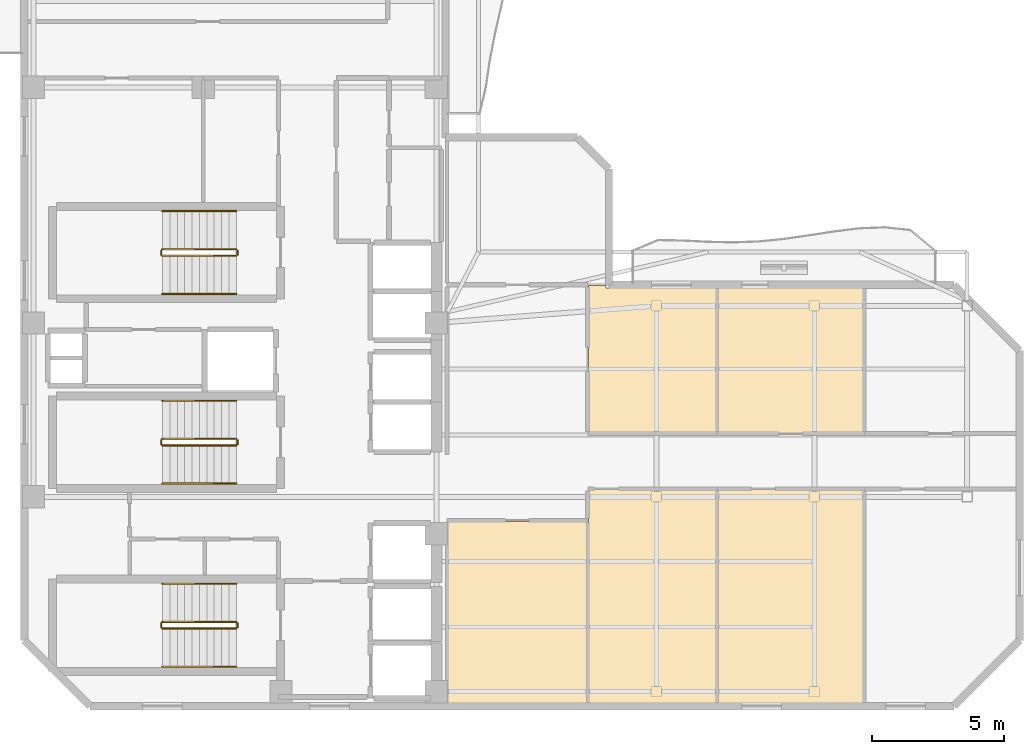
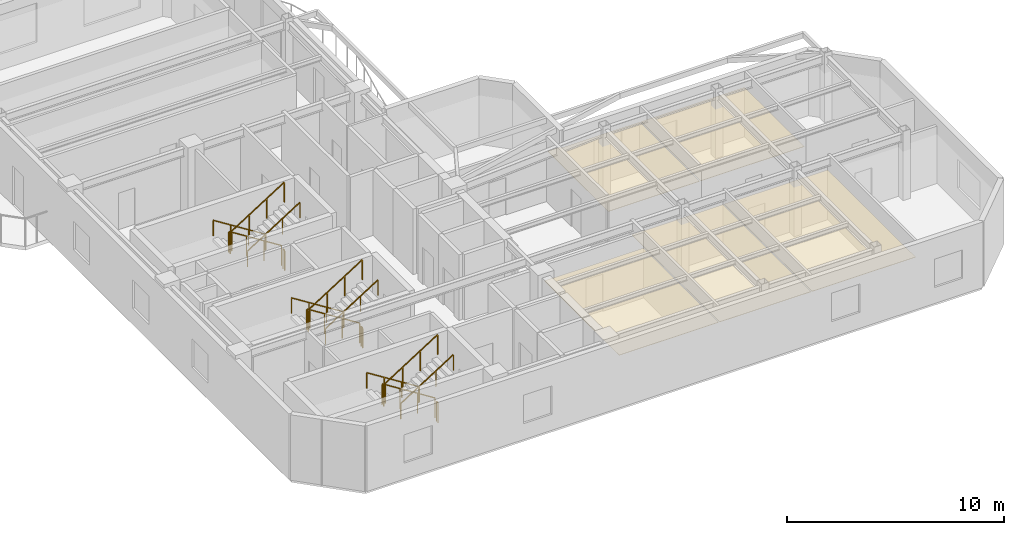
# One storey, part 6 of 7: 18 railings, 5 coverings.
"""IFC4 building model written with IfcOpenShell, lengths in metres."""

from ifc_helpers import new_model, si_unit, direction, frame, origin, origin_2d, place, context, subcontext, project, spatial, polyline, rectangle, outline, extrude, material, layer, layer_set, type_object, element, save


model = new_model("IFC4")

# Units and contexts
model_context = context("Model", 3, precision=1e-05, world=origin(), true_north=direction((0.0, 1.0)))
body_context = subcontext(model_context, "Body", "Model", "MODEL_VIEW")
ifc_project = project(units=[si_unit("LENGTHUNIT", "METRE"), si_unit("AREAUNIT", "SQUARE_METRE"), si_unit("VOLUMEUNIT", "CUBIC_METRE"), si_unit("PLANEANGLEUNIT", "RADIAN"), si_unit("MASSUNIT", "GRAM", prefix="KILO")], contexts=[model_context])

# Site, building, storey
site_placement = place(None, origin())
site = spatial("IfcSite", under=ifc_project, at=site_placement, CompositionType="ELEMENT")
building_placement = place(site_placement, origin())
building = spatial("IfcBuilding", under=site, at=building_placement, Name="Mawjaban Terraces University", CompositionType="ELEMENT")
storey_placement = place(building_placement, frame((0.0, 0.0, 298.89990234375)))
storey = spatial("IfcBuildingStorey", under=building, at=storey_placement, Name="L73", CompositionType="ELEMENT", Elevation=298.89990234375)

# Coverings
ifc_material_1 = material(Name="Acoustic mineral fibre ceiling tile", Category="masonry")
ifc_layer = layer(ifc_material_1, 0.02001953125)
ifc_layer_set = layer_set([ifc_layer], Name="Acoustic mineral fibre ceiling tile")
covering_type = type_object("IfcCoveringType", Name="AcousticMineralCeiling_20", PredefinedType="CEILING", material=ifc_layer_set)
covering_1_placement = place(storey_placement, frame((0.0, 0.0, 2.75)))
element("IfcCovering", 1, at=covering_1_placement, inside=storey, type_object=covering_type, Name="L73 Academic Counseling Room 1 Acoustic Ceiling", PredefinedType="CEILING", context=body_context, shape_type="SweptSolid", body=[
    extrude(outline(polyline([(38.080078125, 7.02001953125), (38.080078125, 0.114990234375), (43.3701171875, 0.114990234375), (43.3701171875, 7.02001953125), (38.080078125, 7.02001953125)])), origin(), (0.0, 0.0, 1.0), 0.02001953125),
])
covering_2_placement = place(storey_placement, frame((0.0, 0.0, 2.75)))
element("IfcCovering", 2, at=covering_2_placement, inside=storey, type_object=covering_type, Name="L73 Academic Counseling Room 2 Acoustic Ceiling", PredefinedType="CEILING", context=body_context, shape_type="SweptSolid", body=[
    extrude(outline(polyline([(43.429931640625, 0.114990234375), (48.2900390625, 0.114990234375), (48.2900390625, 8.219970703125), (43.429931640625, 8.219970703125), (43.429931640625, 0.114990234375)])), origin(), (0.0, 0.0, 1.0), 0.02001953125),
])
covering_3_placement = place(storey_placement, frame((0.0, 0.0, 2.75)))
element("IfcCovering", 3, at=covering_3_placement, inside=storey, type_object=covering_type, Name="L73 Academic Counseling Room 3 Acoustic Ceiling", PredefinedType="CEILING", context=body_context, shape_type="SweptSolid", body=[
    extrude(outline(polyline([(48.2900390625, 15.885009765625), (44.0849609375, 15.885009765625), (44.0849609375, 15.969970703125), (43.429931640625, 15.969970703125), (43.429931640625, 10.3798828125), (48.2900390625, 10.3798828125), (48.2900390625, 15.885009765625)])), origin(), (0.0, 0.0, 1.0), 0.02001953125),
])
covering_4_placement = place(storey_placement, frame((0.0, 0.0, 2.75)))
element("IfcCovering", 4, at=covering_4_placement, inside=storey, type_object=covering_type, Name="L73 Academic Counseling Room 4 Acoustic Ceiling", PredefinedType="CEILING", context=body_context, shape_type="SweptSolid", body=[
    extrude(outline(polyline([(48.35009765625, 0.114990234375), (53.865966796875, 0.114990234375), (53.865966796875, 8.219970703125), (48.35009765625, 8.219970703125), (48.35009765625, 0.114990234375)])), origin(), (0.0, 0.0, 1.0), 0.02001953125),
])
covering_5_placement = place(storey_placement, frame((0.0, 0.0, 2.75)))
element("IfcCovering", 5, at=covering_5_placement, inside=storey, type_object=covering_type, Name="L73 Faculty Office 5 Acoustic Ceiling", PredefinedType="CEILING", context=body_context, shape_type="SweptSolid", body=[
    extrude(outline(polyline([(53.865966796875, 15.885009765625), (48.35009765625, 15.885009765625), (48.35009765625, 10.3798828125), (53.865966796875, 10.3798828125), (53.865966796875, 15.885009765625)])), origin(), (0.0, 0.0, 1.0), 0.02001953125),
])

# Railings
ifc_material_2 = material(Name="Brushed stainless steel 316", Category="steel")
railing_type_1 = type_object("IfcRailingType", Name="StairWallHandrail_900", PredefinedType="HANDRAIL", material=ifc_material_2)
railing_1_placement = place(storey_placement, frame((30.050048828125, 4.64990234375, 0.177490234375)))
element("IfcRailing", 6, at=railing_1_placement, inside=storey, type_object=railing_type_1, Name="L73 ST-1 stair handrail 1", PredefinedType="HANDRAIL", context=body_context, shape_type="SweptSolid", body=[
    extrude(rectangle(XDim=0.048095703125, YDim=0.048095703125, at=origin_2d()), frame((0.0, 0.0, 0.8759765625), z_axis=(-0.844908973607, 0.0, 0.534910110503), x_axis=(0.0, -1.0, 0.0)), (0.0, 0.0, 1.0), 3.31396484375),
    extrude(rectangle(XDim=0.0419921875, YDim=0.0419921875, at=origin_2d()), origin(), (0.0, 0.0, 1.0), 0.851806640625),
    extrude(rectangle(XDim=0.0419921875, YDim=0.0419921875, at=origin_2d()), frame((-0.933349609375, 0.0, 0.5908203125)), (0.0, 0.0, 1.0), 0.851806640625),
    extrude(rectangle(XDim=0.0419921875, YDim=0.0419921875, at=origin_2d()), frame((-1.86669921875, 0.0, 1.181884765625)), (0.0, 0.0, 1.0), 0.851806640625),
    extrude(rectangle(XDim=0.0419921875, YDim=0.0419921875, at=origin_2d()), frame((-2.800048828125, 0.0, 1.772705078125)), (0.0, 0.0, 1.0), 0.851806640625),
])
railing_2_placement = place(storey_placement, frame((27.25, 1.5, 2.12744140625)))
element("IfcRailing", 7, at=railing_2_placement, inside=storey, type_object=railing_type_1, Name="L73 ST-1 stair handrail 2", PredefinedType="HANDRAIL", context=body_context, shape_type="SweptSolid", body=[
    extrude(rectangle(XDim=0.048095703125, YDim=0.048095703125, at=origin_2d()), frame((0.0, 0.0, 0.8759765625), z_axis=(0.844908973607, 0.0, 0.534910110503), x_axis=(0.0, 1.0, 0.0)), (0.0, 0.0, 1.0), 3.31396484375),
    extrude(rectangle(XDim=0.0419921875, YDim=0.0419921875, at=origin_2d()), origin(), (0.0, 0.0, 1.0), 0.851806640625),
    extrude(rectangle(XDim=0.0419921875, YDim=0.0419921875, at=origin_2d()), frame((0.933349609375, 0.0, 0.5908203125)), (0.0, 0.0, 1.0), 0.851806640625),
    extrude(rectangle(XDim=0.0419921875, YDim=0.0419921875, at=origin_2d()), frame((1.86669921875, 0.0, 1.181884765625)), (0.0, 0.0, 1.0), 0.851806640625),
    extrude(rectangle(XDim=0.0419921875, YDim=0.0419921875, at=origin_2d()), frame((2.800048828125, 0.0, 1.772705078125)), (0.0, 0.0, 1.0), 0.851806640625),
])
railing_3_placement = place(storey_placement, frame((30.050048828125, 18.800048828125, 0.177490234375)))
element("IfcRailing", 8, at=railing_3_placement, inside=storey, type_object=railing_type_1, Name="L73 ST-2 stair handrail 1", PredefinedType="HANDRAIL", context=body_context, shape_type="SweptSolid", body=[
    extrude(rectangle(XDim=0.048095703125, YDim=0.048095703125, at=origin_2d()), frame((0.0, 0.0, 0.8759765625), z_axis=(-0.844908973607, 0.0, 0.534910110503), x_axis=(0.0, -1.0, 0.0)), (0.0, 0.0, 1.0), 3.31396484375),
    extrude(rectangle(XDim=0.0419921875, YDim=0.0419921875, at=origin_2d()), origin(), (0.0, 0.0, 1.0), 0.851806640625),
    extrude(rectangle(XDim=0.0419921875, YDim=0.0419921875, at=origin_2d()), frame((-0.933349609375, 0.0, 0.5908203125)), (0.0, 0.0, 1.0), 0.851806640625),
    extrude(rectangle(XDim=0.0419921875, YDim=0.0419921875, at=origin_2d()), frame((-1.86669921875, 0.0, 1.181884765625)), (0.0, 0.0, 1.0), 0.851806640625),
    extrude(rectangle(XDim=0.0419921875, YDim=0.0419921875, at=origin_2d()), frame((-2.800048828125, 0.0, 1.772705078125)), (0.0, 0.0, 1.0), 0.851806640625),
])
railing_4_placement = place(storey_placement, frame((27.25, 15.64990234375, 2.12744140625)))
element("IfcRailing", 9, at=railing_4_placement, inside=storey, type_object=railing_type_1, Name="L73 ST-2 stair handrail 2", PredefinedType="HANDRAIL", context=body_context, shape_type="SweptSolid", body=[
    extrude(rectangle(XDim=0.048095703125, YDim=0.048095703125, at=origin_2d()), frame((0.0, 0.0, 0.8759765625), z_axis=(0.844908973607, 0.0, 0.534910110503), x_axis=(0.0, 1.0, 0.0)), (0.0, 0.0, 1.0), 3.31396484375),
    extrude(rectangle(XDim=0.0419921875, YDim=0.0419921875, at=origin_2d()), origin(), (0.0, 0.0, 1.0), 0.851806640625),
    extrude(rectangle(XDim=0.0419921875, YDim=0.0419921875, at=origin_2d()), frame((0.933349609375, 0.0, 0.5908203125)), (0.0, 0.0, 1.0), 0.851806640625),
    extrude(rectangle(XDim=0.0419921875, YDim=0.0419921875, at=origin_2d()), frame((1.86669921875, 0.0, 1.181884765625)), (0.0, 0.0, 1.0), 0.851806640625),
    extrude(rectangle(XDim=0.0419921875, YDim=0.0419921875, at=origin_2d()), frame((2.800048828125, 0.0, 1.772705078125)), (0.0, 0.0, 1.0), 0.851806640625),
])
railing_5_placement = place(storey_placement, frame((30.050048828125, 11.60009765625, 0.177490234375)))
element("IfcRailing", 10, at=railing_5_placement, inside=storey, type_object=railing_type_1, Name="L73 ST-3 stair handrail 1", PredefinedType="HANDRAIL", context=body_context, shape_type="SweptSolid", body=[
    extrude(rectangle(XDim=0.048095703125, YDim=0.048095703125, at=origin_2d()), frame((0.0, 0.0, 0.8759765625), z_axis=(-0.844908973607, 0.0, 0.534910110503), x_axis=(0.0, -1.0, 0.0)), (0.0, 0.0, 1.0), 3.31396484375),
    extrude(rectangle(XDim=0.0419921875, YDim=0.0419921875, at=origin_2d()), origin(), (0.0, 0.0, 1.0), 0.851806640625),
    extrude(rectangle(XDim=0.0419921875, YDim=0.0419921875, at=origin_2d()), frame((-0.933349609375, 0.0, 0.5908203125)), (0.0, 0.0, 1.0), 0.851806640625),
    extrude(rectangle(XDim=0.0419921875, YDim=0.0419921875, at=origin_2d()), frame((-1.86669921875, 0.0, 1.181884765625)), (0.0, 0.0, 1.0), 0.851806640625),
    extrude(rectangle(XDim=0.0419921875, YDim=0.0419921875, at=origin_2d()), frame((-2.800048828125, 0.0, 1.772705078125)), (0.0, 0.0, 1.0), 0.851806640625),
])
railing_6_placement = place(storey_placement, frame((27.25, 8.449951171875, 2.12744140625)))
element("IfcRailing", 11, at=railing_6_placement, inside=storey, type_object=railing_type_1, Name="L73 ST-3 stair handrail 2", PredefinedType="HANDRAIL", context=body_context, shape_type="SweptSolid", body=[
    extrude(rectangle(XDim=0.048095703125, YDim=0.048095703125, at=origin_2d()), frame((0.0, 0.0, 0.8759765625), z_axis=(0.844908973607, 0.0, 0.534910110503), x_axis=(0.0, 1.0, 0.0)), (0.0, 0.0, 1.0), 3.31396484375),
    extrude(rectangle(XDim=0.0419921875, YDim=0.0419921875, at=origin_2d()), origin(), (0.0, 0.0, 1.0), 0.851806640625),
    extrude(rectangle(XDim=0.0419921875, YDim=0.0419921875, at=origin_2d()), frame((0.933349609375, 0.0, 0.5908203125)), (0.0, 0.0, 1.0), 0.851806640625),
    extrude(rectangle(XDim=0.0419921875, YDim=0.0419921875, at=origin_2d()), frame((1.86669921875, 0.0, 1.181884765625)), (0.0, 0.0, 1.0), 0.851806640625),
    extrude(rectangle(XDim=0.0419921875, YDim=0.0419921875, at=origin_2d()), frame((2.800048828125, 0.0, 1.772705078125)), (0.0, 0.0, 1.0), 0.851806640625),
])
ifc_material_3 = material(Name="Galvanised painted steel S355", Category="steel")
railing_type_2 = type_object("IfcRailingType", Name="StairWellGuard_1150", PredefinedType="BALUSTRADE", material=ifc_material_3)
railing_7_placement = place(storey_placement, frame((30.050048828125, 3.199951171875, 0.177490234375)))
element("IfcRailing", 12, at=railing_7_placement, inside=storey, type_object=railing_type_2, Name="L73 ST-1 stair guard 1", PredefinedType="BALUSTRADE", context=body_context, shape_type="SweptSolid", body=[
    extrude(rectangle(XDim=0.048095703125, YDim=0.048095703125, at=origin_2d()), frame((0.0, 0.0, 1.1259765625), z_axis=(-0.844908973607, 0.0, 0.534910110503), x_axis=(0.0, -1.0, 0.0)), (0.0, 0.0, 1.0), 3.31396484375),
    extrude(rectangle(XDim=0.0419921875, YDim=0.0419921875, at=origin_2d()), origin(), (0.0, 0.0, 1.0), 1.101806640625),
    extrude(rectangle(XDim=0.0419921875, YDim=0.0419921875, at=origin_2d()), frame((-0.933349609375, 0.0, 0.5908203125)), (0.0, 0.0, 1.0), 1.101806640625),
    extrude(rectangle(XDim=0.0419921875, YDim=0.0419921875, at=origin_2d()), frame((-1.86669921875, 0.0, 1.181884765625)), (0.0, 0.0, 1.0), 1.101806640625),
    extrude(rectangle(XDim=0.0419921875, YDim=0.0419921875, at=origin_2d()), frame((-2.800048828125, 0.0, 1.772705078125)), (0.0, 0.0, 1.0), 1.101806640625),
])
railing_8_placement = place(storey_placement, frame((27.199951171875, 3.14990234375, 1.9501953125)))
element("IfcRailing", 13, at=railing_8_placement, inside=storey, type_object=railing_type_2, Name="L73 ST-1 stair guard 2", PredefinedType="BALUSTRADE", context=body_context, shape_type="SweptSolid", body=[
    extrude(rectangle(XDim=0.048095703125, YDim=0.048095703125, at=origin_2d()), frame((0.0, 0.0, 1.1259765625), z_axis=(0.0, -1.0, 0.0), x_axis=(1.0, 0.0, 0.0)), (0.0, 0.0, 1.0), 0.14990234375),
    extrude(rectangle(XDim=0.0419921875, YDim=0.0419921875, at=origin_2d()), origin(), (0.0, 0.0, 1.0), 1.101806640625),
    extrude(rectangle(XDim=0.0419921875, YDim=0.0419921875, at=origin_2d()), frame((0.0, -0.14990234375, 0.0)), (0.0, 0.0, 1.0), 1.101806640625),
])
railing_9_placement = place(storey_placement, frame((27.25, 2.949951171875, 2.12744140625)))
element("IfcRailing", 14, at=railing_9_placement, inside=storey, type_object=railing_type_2, Name="L73 ST-1 stair guard 3", PredefinedType="BALUSTRADE", context=body_context, shape_type="SweptSolid", body=[
    extrude(rectangle(XDim=0.048095703125, YDim=0.048095703125, at=origin_2d()), frame((0.0, 0.0, 1.1259765625), z_axis=(0.844908973607, 0.0, 0.534910110503), x_axis=(0.0, 1.0, 0.0)), (0.0, 0.0, 1.0), 3.31396484375),
    extrude(rectangle(XDim=0.0419921875, YDim=0.0419921875, at=origin_2d()), origin(), (0.0, 0.0, 1.0), 1.101806640625),
    extrude(rectangle(XDim=0.0419921875, YDim=0.0419921875, at=origin_2d()), frame((0.933349609375, 0.0, 0.5908203125)), (0.0, 0.0, 1.0), 1.101806640625),
    extrude(rectangle(XDim=0.0419921875, YDim=0.0419921875, at=origin_2d()), frame((1.86669921875, 0.0, 1.181884765625)), (0.0, 0.0, 1.0), 1.101806640625),
    extrude(rectangle(XDim=0.0419921875, YDim=0.0419921875, at=origin_2d()), frame((2.800048828125, 0.0, 1.772705078125)), (0.0, 0.0, 1.0), 1.101806640625),
])
railing_10_placement = place(storey_placement, frame((30.10009765625, 3.14990234375, 0.0)))
element("IfcRailing", 15, at=railing_10_placement, inside=storey, type_object=railing_type_2, Name="L73 ST-1 stair guard 4", PredefinedType="BALUSTRADE", context=body_context, shape_type="SweptSolid", body=[
    extrude(rectangle(XDim=0.048095703125, YDim=0.048095703125, at=origin_2d()), frame((0.0, 0.0, 1.1259765625), z_axis=(0.0, -1.0, 0.0), x_axis=(1.0, 0.0, 0.0)), (0.0, 0.0, 1.0), 0.14990234375),
    extrude(rectangle(XDim=0.0419921875, YDim=0.0419921875, at=origin_2d()), origin(), (0.0, 0.0, 1.0), 1.101806640625),
    extrude(rectangle(XDim=0.0419921875, YDim=0.0419921875, at=origin_2d()), frame((0.0, -0.14990234375, 0.0)), (0.0, 0.0, 1.0), 1.101806640625),
])
railing_11_placement = place(storey_placement, frame((30.050048828125, 17.35009765625, 0.177490234375)))
element("IfcRailing", 16, at=railing_11_placement, inside=storey, type_object=railing_type_2, Name="L73 ST-2 stair guard 1", PredefinedType="BALUSTRADE", context=body_context, shape_type="SweptSolid", body=[
    extrude(rectangle(XDim=0.048095703125, YDim=0.048095703125, at=origin_2d()), frame((0.0, 0.0, 1.1259765625), z_axis=(-0.844908973607, 0.0, 0.534910110503), x_axis=(0.0, -1.0, 0.0)), (0.0, 0.0, 1.0), 3.31396484375),
    extrude(rectangle(XDim=0.0419921875, YDim=0.0419921875, at=origin_2d()), origin(), (0.0, 0.0, 1.0), 1.101806640625),
    extrude(rectangle(XDim=0.0419921875, YDim=0.0419921875, at=origin_2d()), frame((-0.933349609375, 0.0, 0.5908203125)), (0.0, 0.0, 1.0), 1.101806640625),
    extrude(rectangle(XDim=0.0419921875, YDim=0.0419921875, at=origin_2d()), frame((-1.86669921875, 0.0, 1.181884765625)), (0.0, 0.0, 1.0), 1.101806640625),
    extrude(rectangle(XDim=0.0419921875, YDim=0.0419921875, at=origin_2d()), frame((-2.800048828125, 0.0, 1.772705078125)), (0.0, 0.0, 1.0), 1.101806640625),
])
railing_12_placement = place(storey_placement, frame((27.199951171875, 17.300048828125, 1.9501953125)))
element("IfcRailing", 17, at=railing_12_placement, inside=storey, type_object=railing_type_2, Name="L73 ST-2 stair guard 2", PredefinedType="BALUSTRADE", context=body_context, shape_type="SweptSolid", body=[
    extrude(rectangle(XDim=0.048095703125, YDim=0.048095703125, at=origin_2d()), frame((0.0, 0.0, 1.1259765625), z_axis=(0.0, -1.0, 0.0), x_axis=(1.0, 0.0, 0.0)), (0.0, 0.0, 1.0), 0.150146484375),
    extrude(rectangle(XDim=0.0419921875, YDim=0.0419921875, at=origin_2d()), origin(), (0.0, 0.0, 1.0), 1.101806640625),
    extrude(rectangle(XDim=0.0419921875, YDim=0.0419921875, at=origin_2d()), frame((0.0, -0.150146484375, 0.0)), (0.0, 0.0, 1.0), 1.101806640625),
])
railing_13_placement = place(storey_placement, frame((27.25, 17.10009765625, 2.12744140625)))
element("IfcRailing", 18, at=railing_13_placement, inside=storey, type_object=railing_type_2, Name="L73 ST-2 stair guard 3", PredefinedType="BALUSTRADE", context=body_context, shape_type="SweptSolid", body=[
    extrude(rectangle(XDim=0.048095703125, YDim=0.048095703125, at=origin_2d()), frame((0.0, 0.0, 1.1259765625), z_axis=(0.844908973607, 0.0, 0.534910110503), x_axis=(0.0, 1.0, 0.0)), (0.0, 0.0, 1.0), 3.31396484375),
    extrude(rectangle(XDim=0.0419921875, YDim=0.0419921875, at=origin_2d()), origin(), (0.0, 0.0, 1.0), 1.101806640625),
    extrude(rectangle(XDim=0.0419921875, YDim=0.0419921875, at=origin_2d()), frame((0.933349609375, 0.0, 0.5908203125)), (0.0, 0.0, 1.0), 1.101806640625),
    extrude(rectangle(XDim=0.0419921875, YDim=0.0419921875, at=origin_2d()), frame((1.86669921875, 0.0, 1.181884765625)), (0.0, 0.0, 1.0), 1.101806640625),
    extrude(rectangle(XDim=0.0419921875, YDim=0.0419921875, at=origin_2d()), frame((2.800048828125, 0.0, 1.772705078125)), (0.0, 0.0, 1.0), 1.101806640625),
])
railing_14_placement = place(storey_placement, frame((30.10009765625, 17.300048828125, 0.0)))
element("IfcRailing", 19, at=railing_14_placement, inside=storey, type_object=railing_type_2, Name="L73 ST-2 stair guard 4", PredefinedType="BALUSTRADE", context=body_context, shape_type="SweptSolid", body=[
    extrude(rectangle(XDim=0.048095703125, YDim=0.048095703125, at=origin_2d()), frame((0.0, 0.0, 1.1259765625), z_axis=(0.0, -1.0, 0.0), x_axis=(1.0, 0.0, 0.0)), (0.0, 0.0, 1.0), 0.150146484375),
    extrude(rectangle(XDim=0.0419921875, YDim=0.0419921875, at=origin_2d()), origin(), (0.0, 0.0, 1.0), 1.101806640625),
    extrude(rectangle(XDim=0.0419921875, YDim=0.0419921875, at=origin_2d()), frame((0.0, -0.150146484375, 0.0)), (0.0, 0.0, 1.0), 1.101806640625),
])
railing_15_placement = place(storey_placement, frame((30.050048828125, 10.14990234375, 0.177490234375)))
element("IfcRailing", 20, at=railing_15_placement, inside=storey, type_object=railing_type_2, Name="L73 ST-3 stair guard 1", PredefinedType="BALUSTRADE", context=body_context, shape_type="SweptSolid", body=[
    extrude(rectangle(XDim=0.048095703125, YDim=0.048095703125, at=origin_2d()), frame((0.0, 0.0, 1.1259765625), z_axis=(-0.844908973607, 0.0, 0.534910110503), x_axis=(0.0, -1.0, 0.0)), (0.0, 0.0, 1.0), 3.31396484375),
    extrude(rectangle(XDim=0.0419921875, YDim=0.0419921875, at=origin_2d()), origin(), (0.0, 0.0, 1.0), 1.101806640625),
    extrude(rectangle(XDim=0.0419921875, YDim=0.0419921875, at=origin_2d()), frame((-0.933349609375, 0.0, 0.5908203125)), (0.0, 0.0, 1.0), 1.101806640625),
    extrude(rectangle(XDim=0.0419921875, YDim=0.0419921875, at=origin_2d()), frame((-1.86669921875, 0.0, 1.181884765625)), (0.0, 0.0, 1.0), 1.101806640625),
    extrude(rectangle(XDim=0.0419921875, YDim=0.0419921875, at=origin_2d()), frame((-2.800048828125, 0.0, 1.772705078125)), (0.0, 0.0, 1.0), 1.101806640625),
])
railing_16_placement = place(storey_placement, frame((27.199951171875, 10.10009765625, 1.9501953125)))
element("IfcRailing", 21, at=railing_16_placement, inside=storey, type_object=railing_type_2, Name="L73 ST-3 stair guard 2", PredefinedType="BALUSTRADE", context=body_context, shape_type="SweptSolid", body=[
    extrude(rectangle(XDim=0.048095703125, YDim=0.048095703125, at=origin_2d()), frame((0.0, 0.0, 1.1259765625), z_axis=(0.0, -1.0, 0.0), x_axis=(1.0, 0.0, 0.0)), (0.0, 0.0, 1.0), 0.150146484375),
    extrude(rectangle(XDim=0.0419921875, YDim=0.0419921875, at=origin_2d()), origin(), (0.0, 0.0, 1.0), 1.101806640625),
    extrude(rectangle(XDim=0.0419921875, YDim=0.0419921875, at=origin_2d()), frame((0.0, -0.150146484375, 0.0)), (0.0, 0.0, 1.0), 1.101806640625),
])
railing_17_placement = place(storey_placement, frame((27.25, 9.89990234375, 2.12744140625)))
element("IfcRailing", 22, at=railing_17_placement, inside=storey, type_object=railing_type_2, Name="L73 ST-3 stair guard 3", PredefinedType="BALUSTRADE", context=body_context, shape_type="SweptSolid", body=[
    extrude(rectangle(XDim=0.048095703125, YDim=0.048095703125, at=origin_2d()), frame((0.0, 0.0, 1.1259765625), z_axis=(0.844908973607, 0.0, 0.534910110503), x_axis=(0.0, 1.0, 0.0)), (0.0, 0.0, 1.0), 3.31396484375),
    extrude(rectangle(XDim=0.0419921875, YDim=0.0419921875, at=origin_2d()), origin(), (0.0, 0.0, 1.0), 1.101806640625),
    extrude(rectangle(XDim=0.0419921875, YDim=0.0419921875, at=origin_2d()), frame((0.933349609375, 0.0, 0.5908203125)), (0.0, 0.0, 1.0), 1.101806640625),
    extrude(rectangle(XDim=0.0419921875, YDim=0.0419921875, at=origin_2d()), frame((1.86669921875, 0.0, 1.181884765625)), (0.0, 0.0, 1.0), 1.101806640625),
    extrude(rectangle(XDim=0.0419921875, YDim=0.0419921875, at=origin_2d()), frame((2.800048828125, 0.0, 1.772705078125)), (0.0, 0.0, 1.0), 1.101806640625),
])
railing_18_placement = place(storey_placement, frame((30.10009765625, 10.10009765625, 0.0)))
element("IfcRailing", 23, at=railing_18_placement, inside=storey, type_object=railing_type_2, Name="L73 ST-3 stair guard 4", PredefinedType="BALUSTRADE", context=body_context, shape_type="SweptSolid", body=[
    extrude(rectangle(XDim=0.048095703125, YDim=0.048095703125, at=origin_2d()), frame((0.0, 0.0, 1.1259765625), z_axis=(0.0, -1.0, 0.0), x_axis=(1.0, 0.0, 0.0)), (0.0, 0.0, 1.0), 0.150146484375),
    extrude(rectangle(XDim=0.0419921875, YDim=0.0419921875, at=origin_2d()), origin(), (0.0, 0.0, 1.0), 1.101806640625),
    extrude(rectangle(XDim=0.0419921875, YDim=0.0419921875, at=origin_2d()), frame((0.0, -0.150146484375, 0.0)), (0.0, 0.0, 1.0), 1.101806640625),
])

save(model, "model.ifc")
